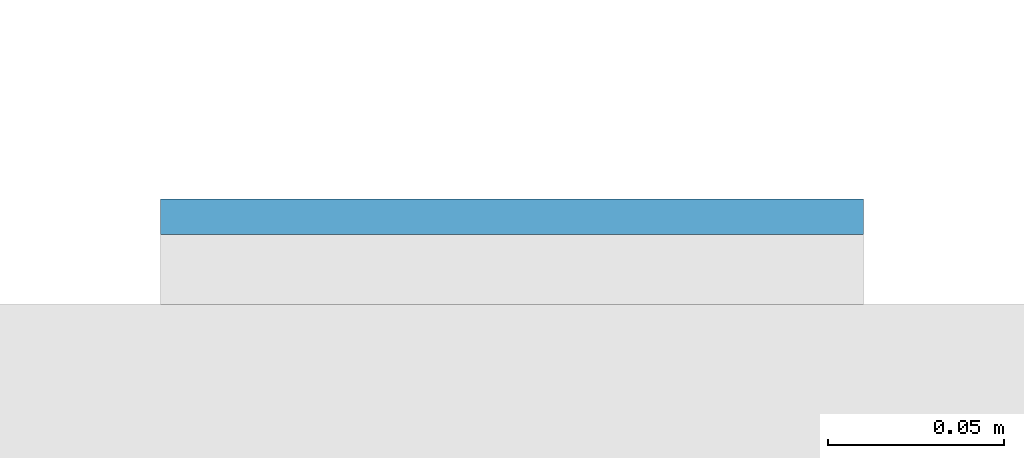
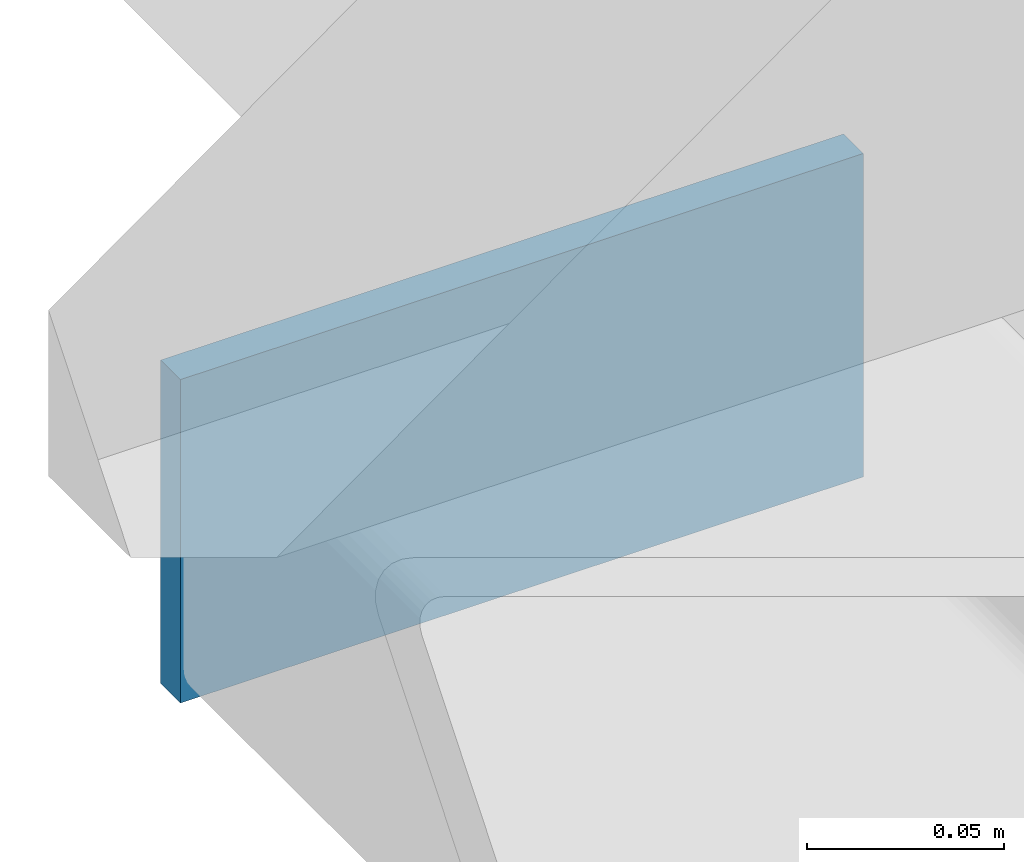
# One storey, part 9 of 21: 1 plate.
"""IFC4 building model written with IfcOpenShell, lengths in metres."""

from ifc_helpers import new_model, si_unit, direction, frame, origin, origin_2d, place, context, subcontext, project, spatial, rectangle, extrude, material, layer, layer_set, type_object, element, save


model = new_model("IFC4")

# Units and contexts
model_context = context("Model", 3, precision=1e-05, world=origin(), true_north=direction((0.0, 1.0)))
body_context = subcontext(model_context, "Body", "Model", "MODEL_VIEW")
ifc_project = project(units=[si_unit("LENGTHUNIT", "METRE"), si_unit("AREAUNIT", "SQUARE_METRE"), si_unit("VOLUMEUNIT", "CUBIC_METRE"), si_unit("PLANEANGLEUNIT", "RADIAN"), si_unit("MASSUNIT", "GRAM", prefix="KILO")], contexts=[model_context])

# Site, building, storey
site_placement = place(None, origin())
site = spatial("IfcSite", under=ifc_project, at=site_placement, CompositionType="ELEMENT")
building_placement = place(site_placement, origin())
building = spatial("IfcBuilding", under=site, at=building_placement, Name="Cleftline Residences", CompositionType="ELEMENT")
storey_placement = place(building_placement, frame((0.0, 0.0, 58.39990234375)))
storey = spatial("IfcBuildingStorey", under=building, at=storey_placement, Name="L14", CompositionType="ELEMENT", Elevation=58.39990234375)

# Plate
ifc_material = material(Name="Steel S355, hot-dip galvanised", Category="steel")
ifc_layer = layer(ifc_material, 0.010009765625)
ifc_layer_set = layer_set([ifc_layer], Name="BAGUETTE CARRIER END PLATE 200X100X10")
plate_type = type_object("IfcPlateType", Name="BAGUETTE CARRIER END PLATE 200X100X10", PredefinedType="USERDEFINED", material=ifc_layer_set)
plate_placement = place(storey_placement, frame((-0.85009765625, 44.304931640625, -0.099853515625), z_axis=(0.0, 0.0, 1.0), x_axis=(-1.0, 0.0, 0.0)))
element("IfcPlate", 1, at=plate_placement, inside=storey, type_object=plate_type, Name="Baguette carrier end plate", ObjectType="BAGUETTE CARRIER END PLATE", PredefinedType="USERDEFINED", context=body_context, shape_type="SweptSolid", body=[
    extrude(rectangle(XDim=0.199951171875, YDim=0.010009765625, at=origin_2d()), origin(), (0.0, 0.0, 1.0), 0.10009765625),
])

save(model, "model.ifc")
